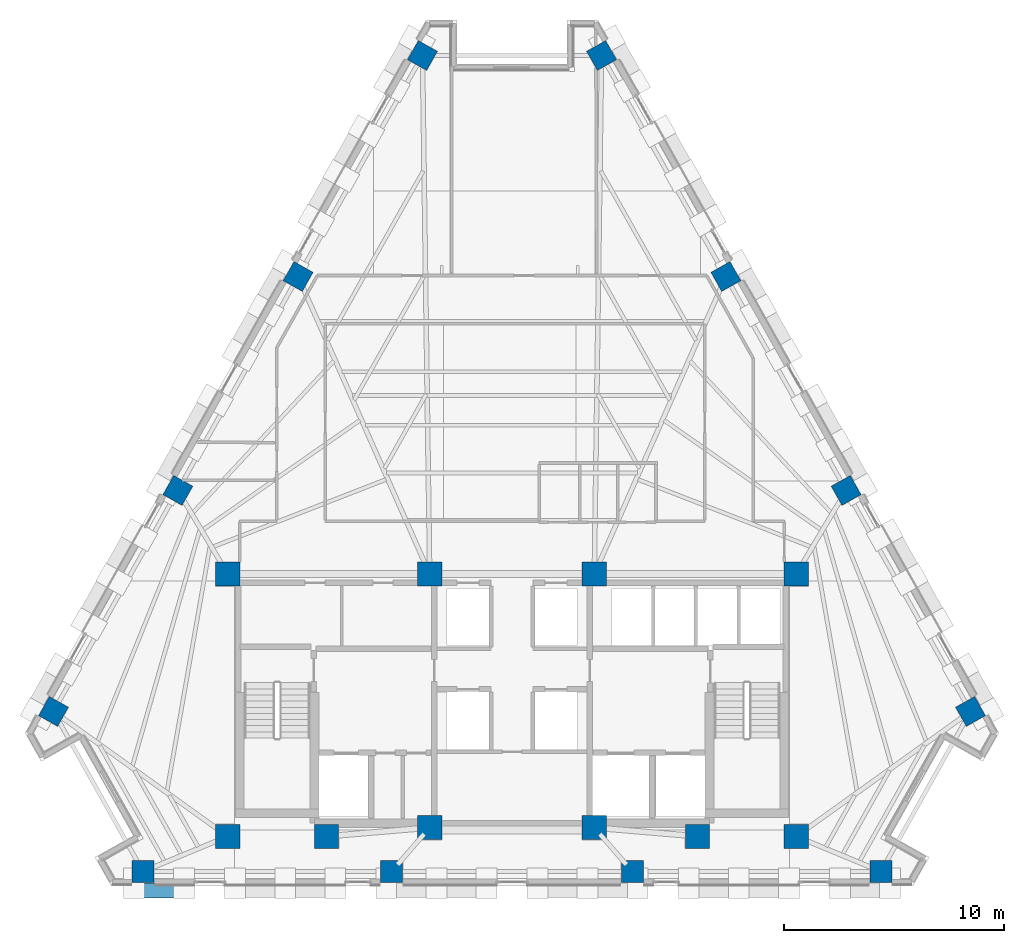
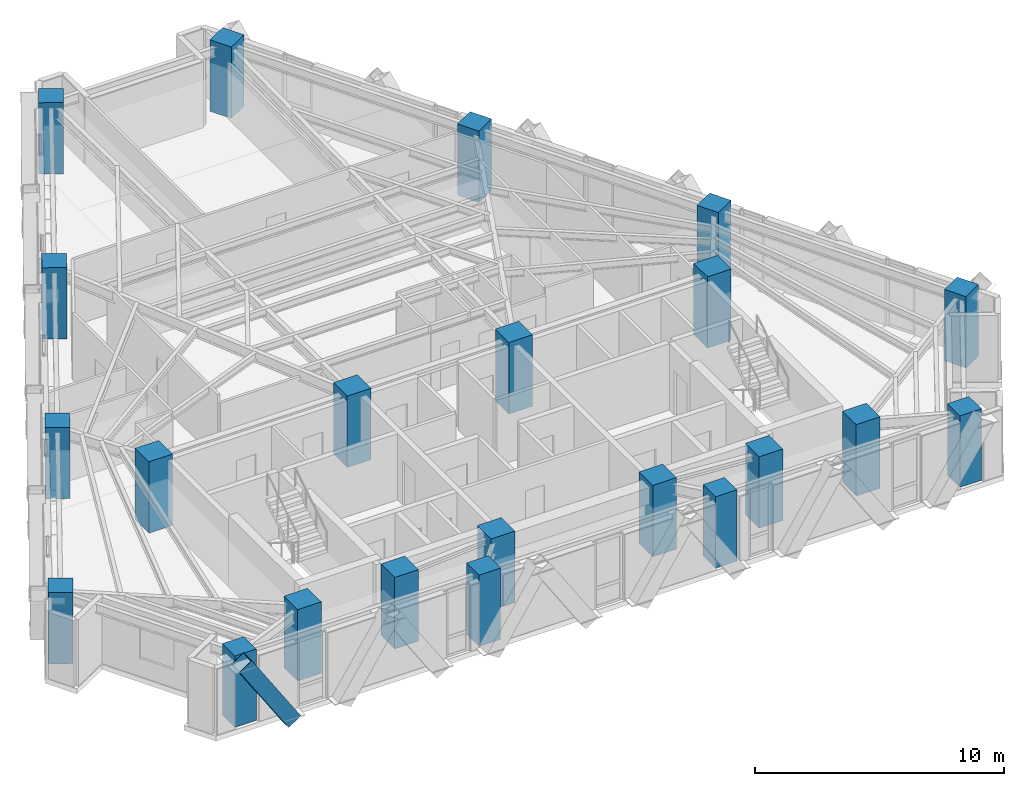
# One storey, part 1 of 13: 22 columns, 1 member.
"""IFC4 building model written with IfcOpenShell, lengths in metres."""

import ifcopenshell
import ifcopenshell.guid

model = None  # the IFC model being written
_history = None  # IfcOwnerHistory: only IFC2X3 demands one
_inside = {}  # id of a spatial element -> (the spatial element, [elements in it])
_under = {}  # id of a project, library or spatial element -> (it, [spatial elements below it])
_declared = {}  # id of a project -> (the project, [libraries it declares])
_typed = {}  # id of a type object -> (the type object, [elements of that type])
_made_of = {}  # id of a material, layer set ... -> (it, [elements and type objects made of it])


def new_model(schema):
    """Start an empty IFC model of exactly this schema.

    Asked for "IFC4X3", IfcOpenShell would pick the latest addendum, in which some entities
    have other attributes; the version numbers below select the first issue.
    IFC2X3 requires an IfcOwnerHistory on every rooted entity: one is made here for all.
    """
    global model, _history
    if schema == "IFC4X3":
        model = ifcopenshell.file(schema_version=(4, 3, 0, 0))
    else:
        model = ifcopenshell.file(schema=schema)
    _inside.clear()
    _under.clear()
    _declared.clear()
    _typed.clear()
    _made_of.clear()
    _history = None
    if model.schema == "IFC2X3":
        org = make("IfcOrganization", Name="unknown")
        user = make(
            "IfcPersonAndOrganization",
            ThePerson=make("IfcPerson", FamilyName="unknown"),
            TheOrganization=org,
        )
        app = make(
            "IfcApplication",
            ApplicationDeveloper=org,
            Version="unknown",
            ApplicationFullName="unknown",
            ApplicationIdentifier="unknown",
        )
        _history = make(
            "IfcOwnerHistory",
            OwningUser=user,
            OwningApplication=app,
            ChangeAction="ADDED",
            CreationDate=0,
        )
    return model


def make(cls, **values):
    """One entity of the class cls with the attributes given. An attribute that is None is left unset."""
    return model.create_entity(
        cls, **{name: value for name, value in values.items() if value is not None}
    )


def rooted(cls, **values):
    """An entity with a GlobalId (a new one), such as an element, a storey or a relation."""
    return make(cls, GlobalId=ifcopenshell.guid.new(), OwnerHistory=_history, **values)


def si_unit(unit_type, name, prefix=None):
    """IfcSIUnit, for example si_unit("LENGTHUNIT", "METRE", prefix="MILLI")."""
    return make("IfcSIUnit", UnitType=unit_type, Prefix=prefix, Name=name)


def assignment(units):
    """IfcUnitAssignment: the units of a project."""
    return None if units is None else make("IfcUnitAssignment", Units=units)


def point(xyz):
    """IfcCartesianPoint."""
    return None if xyz is None else make("IfcCartesianPoint", Coordinates=xyz)


def direction(xyz):
    """IfcDirection."""
    return None if xyz is None else make("IfcDirection", DirectionRatios=xyz)


def frame(location, z_axis=None, x_axis=None):
    """IfcAxis2Placement3D, a coordinate frame: its origin and axes. An axis left out is left unset."""
    return make(
        "IfcAxis2Placement3D",
        Location=point(location),
        Axis=direction(z_axis),
        RefDirection=direction(x_axis),
    )


def frame_2d(location, x_axis=None):
    """IfcAxis2Placement2D, a coordinate frame in the plane: its origin and x axis."""
    return make(
        "IfcAxis2Placement2D", Location=point(location), RefDirection=direction(x_axis)
    )


def origin():
    """The frame at (0, 0, 0) with its axes left unset."""
    return frame((0.0, 0.0, 0.0))


def origin_2d():
    """The frame at (0, 0) in the plane with its x axis left unset."""
    return frame_2d((0.0, 0.0))


def place(relative_to, where):
    """IfcLocalPlacement: puts the frame where relative to a parent placement (None: the world)."""
    return make(
        "IfcLocalPlacement", PlacementRelTo=relative_to, RelativePlacement=where
    )


def context(
    kind, dimensions, precision=None, world=None, true_north=None, identifier=None
):
    """IfcGeometricRepresentationContext, for example the 3D "Model" context."""
    return make(
        "IfcGeometricRepresentationContext",
        ContextIdentifier=identifier,
        ContextType=kind,
        CoordinateSpaceDimension=dimensions,
        Precision=precision,
        WorldCoordinateSystem=world,
        TrueNorth=true_north,
    )


def subcontext(parent, identifier, kind, view, scale=None):
    """IfcGeometricRepresentationSubContext, for example "Body" below "Model"."""
    return make(
        "IfcGeometricRepresentationSubContext",
        ContextIdentifier=identifier,
        ContextType=kind,
        ParentContext=parent,
        TargetScale=scale,
        TargetView=view,
    )


def project(units=None, contexts=None):
    """IfcProject with its units and contexts."""
    return rooted(
        "IfcProject",
        Name="project",
        RepresentationContexts=contexts,
        UnitsInContext=assignment(units),
    )


def spatial(cls, under=None, at=None, **own):
    """A site, building, storey or space (cls), placed at a placement, below another one or the project."""
    s = rooted(cls, ObjectPlacement=at, **own)
    if under is not None:
        _under.setdefault(under.id(), (under, []))[1].append(s)
    return s


def profile(cls, at=None, kind="AREA", **sizes):
    """A parametric profile (cls). Its sizes go by their IFC names, for example OverallWidth=200.0."""
    return make(cls, ProfileType=kind, Position=at, **sizes)


def rectangle(**sizes):
    """IfcRectangleProfileDef."""
    return profile("IfcRectangleProfileDef", **sizes)


def hollow_rectangle(**sizes):
    """IfcRectangleHollowProfileDef."""
    return profile("IfcRectangleHollowProfileDef", **sizes)


def extrude(swept, where, along, depth):
    """IfcExtrudedAreaSolid: the profile swept, set in the frame where, extruded along a direction by depth."""
    return make(
        "IfcExtrudedAreaSolid",
        SweptArea=swept,
        Position=where,
        ExtrudedDirection=direction(along),
        Depth=depth,
    )


def shape(context_of_items, identifier, shape_type, items):
    """IfcShapeRepresentation: the items that make up one representation, for example the "Body"."""
    return make(
        "IfcShapeRepresentation",
        ContextOfItems=context_of_items,
        RepresentationIdentifier=identifier,
        RepresentationType=shape_type,
        Items=items,
    )


def material(Name=None, Category=None):
    """IfcMaterial."""
    return make("IfcMaterial", Name=Name, Category=Category)


def material_profile(
    of_material, cross_section, Name=None, Category=None, Priority=None
):
    """IfcMaterialProfile: a cross section and its material."""
    return make(
        "IfcMaterialProfile",
        Name=Name,
        Material=of_material,
        Profile=cross_section,
        Priority=Priority,
        Category=Category,
    )


def profile_set(profiles, Name=None, composite=None):
    """IfcMaterialProfileSet."""
    return make(
        "IfcMaterialProfileSet",
        Name=Name,
        MaterialProfiles=profiles,
        CompositeProfile=composite,
    )


def made_of(thing, what):
    """Note that an element or type object is made of a material, layer set ...; save() writes the relation."""
    if what is not None:
        _made_of.setdefault(what.id(), (what, []))[1].append(thing)
    return thing


def type_object(cls, material=None, **own):
    """A type object (cls), such as IfcWallType, which elements share."""
    return made_of(rooted(cls, **own), material)


def element(
    cls,
    number,
    at=None,
    inside=None,
    cuts=None,
    type_object=None,
    material=None,
    context=None,
    identifier="Body",
    shape_type=None,
    held_by="IfcProductDefinitionShape",
    body=None,
    shapes=None,
    **own,
):
    """One element of the class cls, such as IfcWall. Its Tag is "e" and its number.

    at: its placement. inside: the storey or other place that contains it. cuts: it is an
    opening in that element (IfcRelVoidsElement). A single representation is given by context,
    identifier, shape_type and body (its items); several are given by shapes. held_by: the class
    of the entity that holds the representations. save() writes the other relations.
    """
    e = rooted(cls, Tag="e%d" % number, ObjectPlacement=at, **own)
    if body is not None:
        shapes = [shape(context, identifier, shape_type, body)]
    if shapes is not None:
        e.Representation = make(held_by, Representations=shapes)
    if inside is not None:
        _inside.setdefault(inside.id(), (inside, []))[1].append(e)
    if cuts is not None:
        rooted(
            "IfcRelVoidsElement", RelatingBuildingElement=cuts, RelatedOpeningElement=e
        )
    if type_object is not None:
        _typed.setdefault(type_object.id(), (type_object, []))[1].append(e)
    return made_of(e, material)


def aggregate(whole, parts):
    """IfcRelAggregates: a whole, such as a stair, and the parts it consists of."""
    return rooted("IfcRelAggregates", RelatingObject=whole, RelatedObjects=parts)


def save(model, path):
    """Write the relations noted so far, then the file.

    IfcRelAggregates (storeys below a building ...), IfcRelContainedInSpatialStructure (elements
    in a storey), IfcRelDefinesByType, IfcRelAssociatesMaterial and IfcRelDeclares: one each for
    every whole, place, type object, material and project.
    """
    for whole, parts in _under.values():
        aggregate(whole, parts)
    for where, things in _inside.values():
        rooted(
            "IfcRelContainedInSpatialStructure",
            RelatedElements=things,
            RelatingStructure=where,
        )
    for kind, things in _typed.values():
        rooted("IfcRelDefinesByType", RelatedObjects=things, RelatingType=kind)
    for what, things in _made_of.values():
        rooted("IfcRelAssociatesMaterial", RelatedObjects=things, RelatingMaterial=what)
    for by, libraries in _declared.values():
        rooted("IfcRelDeclares", RelatingContext=by, RelatedDefinitions=libraries)
    model.write(path)


model = new_model("IFC4")

# Units and contexts
model_context = context("Model", 3, precision=1e-05, world=origin(), true_north=direction((0.0, 1.0)))
body_context = subcontext(model_context, "Body", "Model", "MODEL_VIEW")
ifc_project = project(units=[si_unit("LENGTHUNIT", "METRE"), si_unit("AREAUNIT", "SQUARE_METRE"), si_unit("VOLUMEUNIT", "CUBIC_METRE"), si_unit("PLANEANGLEUNIT", "RADIAN"), si_unit("MASSUNIT", "GRAM", prefix="KILO")], contexts=[model_context])

# Site, building, storey
site_placement = place(None, origin())
site = spatial("IfcSite", under=ifc_project, at=site_placement, CompositionType="ELEMENT")
building_placement = place(site_placement, origin())
building = spatial("IfcBuilding", under=site, at=building_placement, Name="Quenlor Broadcast Tower", CompositionType="ELEMENT")
storey_placement = place(building_placement, frame((0.0, 0.0, 158.0)))
storey = spatial("IfcBuildingStorey", under=building, at=storey_placement, Name="L43", CompositionType="ELEMENT", Elevation=158.0)

# Columns
ifc_material_1 = material(Name="Concrete C65/80", Category="concrete")
ifc_material_profile_1 = material_profile(ifc_material_1, rectangle(XDim=1.10009765625, YDim=1.10009765625, at=origin_2d()))
ifc_profile_set_1 = profile_set([ifc_material_profile_1], Name="Concrete C65/80 RC1100x1100")
column_type_1 = type_object("IfcColumnType", Name="Core Corner Column Mid Concrete C65/80 1100", PredefinedType="COLUMN", material=ifc_profile_set_1)
for number, where, z_axis, x_axis, name in (
    (1, (-12.949951171875, -16.75, 0.0), (0.0, 0.0, 1.0), (1.0, 0.0, 0.0), "L43 Core Column CC1"),
    (2, (-8.449951171875, -16.75, 0.0), (0.0, 0.0, 1.0), (1.0, 0.0, 0.0), "L43 Core Column CC2"),
    (3, (-3.75, -16.35009765625, 0.0), (0.0, 0.0, 1.0), (1.0, 0.0, 0.0), "L43 Core Column CC3"),
    (4, (3.75, -16.35009765625, 0.0), (0.0, 0.0, 1.0), (1.0, 0.0, 0.0), "L43 Core Column CC4"),
    (5, (8.449951171875, -16.75, 0.0), (0.0, 0.0, 1.0), (1.0, 0.0, 0.0), "L43 Core Column CC5"),
    (6, (12.949951171875, -16.75, 0.0), (0.0, 0.0, 1.0), (1.0, 0.0, 0.0), "L43 Core Column CC6"),
    (7, (-12.949951171875, -4.800048828125, 0.0), (0.0, 0.0, 1.0), (1.0, 0.0, 0.0), "L43 Core Column CC7"),
    (8, (-3.75, -4.800048828125, 0.0), (0.0, 0.0, 1.0), (1.0, 0.0, 0.0), "L43 Core Column CC8"),
    (9, (3.75, -4.800048828125, 0.0), (0.0, 0.0, 1.0), (1.0, 0.0, 0.0), "L43 Core Column CC9"),
    (10, (12.949951171875, -4.800048828125, 0.0), (0.0, 0.0, 1.0), (1.0, 0.0, 0.0), "L43 Core Column CC10"),
):
    element("IfcColumn", number, at=place(storey_placement, frame(where, z_axis=z_axis, x_axis=x_axis)), inside=storey, type_object=column_type_1, Name=name, PredefinedType="COLUMN", context=body_context, shape_type="SweptSolid", body=[
        extrude(rectangle(XDim=1.10009765625, YDim=1.10009765625, at=origin_2d()), origin(), (0.0, 0.0, 1.0), 3.5),
    ])
ifc_material_2 = material(Name="Concrete C50/60", Category="concrete")
ifc_material_profile_2 = material_profile(ifc_material_2, rectangle(XDim=1.0, YDim=1.0, at=origin_2d()))
ifc_profile_set_2 = profile_set([ifc_material_profile_2], Name="Concrete C50/60 RC1000x1000")
column_type_2 = type_object("IfcColumnType", Name="Tower Perimeter Column Z3 Concrete C50/60 1000", PredefinedType="COLUMN", material=ifc_profile_set_2)
for number, where, z_axis, x_axis, name in (
    (11, (-16.808349609375, -18.35009765625, 0.0), (0.0, 0.0, 1.0), (0.0, 1.0, 0.0), "L43 Perimeter Column S1"),
    (12, (-5.48095703125, -18.35009765625, 0.0), (0.0, 0.0, 1.0), (0.0, 1.0, 0.0), "L43 Perimeter Column S2"),
    (13, (5.48095703125, -18.35009765625, 0.0), (0.0, 0.0, 1.0), (0.0, 1.0, 0.0), "L43 Perimeter Column S3"),
    (14, (16.808349609375, -18.35009765625, 0.0), (0.0, 0.0, 1.0), (0.0, 1.0, 0.0), "L43 Perimeter Column S4"),
    (15, (20.8876953125, -11.0595703125, 0.0), (0.0, 0.0, 1.0), (0.871575139605, 0.490261946333, 0.0), "L43 Perimeter Column NE1"),
    (16, (15.22412109375, -0.99072265625, 0.0), (0.0, 0.0, 1.0), (0.871575139605, 0.490261946333, 0.0), "L43 Perimeter Column NE2"),
    (17, (9.742919921875, 8.75341796875, 0.0), (0.0, 0.0, 1.0), (0.871575139605, 0.490261946333, 0.0), "L43 Perimeter Column NE3"),
    (18, (4.079345703125, 18.822021484375, 0.0), (0.0, 0.0, 1.0), (0.871575139605, 0.490261946333, 0.0), "L43 Perimeter Column NE4"),
    (19, (-4.079345703125, 18.822021484375, 0.0), (0.0, 0.0, 1.0), (-0.871575139605, 0.490261946333, 0.0), "L43 Perimeter Column NW1"),
    (20, (-9.742919921875, 8.75341796875, 0.0), (0.0, 0.0, 1.0), (-0.871575139605, 0.490261946333, 0.0), "L43 Perimeter Column NW2"),
    (21, (-15.22412109375, -0.99072265625, 0.0), (0.0, 0.0, 1.0), (-0.871575139605, 0.490261946333, 0.0), "L43 Perimeter Column NW3"),
    (22, (-20.8876953125, -11.0595703125, 0.0), (0.0, 0.0, 1.0), (-0.871575139605, 0.490261946333, 0.0), "L43 Perimeter Column NW4"),
):
    element("IfcColumn", number, at=place(storey_placement, frame(where, z_axis=z_axis, x_axis=x_axis)), inside=storey, type_object=column_type_2, Name=name, PredefinedType="COLUMN", context=body_context, shape_type="SweptSolid", body=[
        extrude(rectangle(XDim=1.0, YDim=1.0, at=origin_2d()), origin(), (0.0, 0.0, 1.0), 3.5),
    ])

# Member
ifc_material_3 = material(Name="Steel S355", Category="steel")
ifc_material_profile_3 = material_profile(ifc_material_3, hollow_rectangle(XDim=0.679931640625, YDim=0.679931640625, WallThickness=0.02490234375, at=origin_2d()))
ifc_profile_set_3 = profile_set([ifc_material_profile_3], Name="Steel S355 RHS680x680x25")
member_type = type_object("IfcMemberType", Name="Perimeter Diagonal Lattice Brace Z3-Z4 Steel S355 RHS680x25", PredefinedType="BRACE", material=ifc_profile_set_3)
member_placement = place(storey_placement, frame((-14.937744140625, -19.219970703125, -0.1201171875), z_axis=(-0.543901560697, 0.0, 0.839149028643), x_axis=(0.0, -1.0, 0.0)))
element("IfcMember", 23, at=member_placement, inside=storey, type_object=member_type, Name="L43 Perimeter Diamond Lattice S-C5S", PredefinedType="BRACE", context=body_context, shape_type="SweptSolid", body=[
    extrude(hollow_rectangle(XDim=0.679931640625, YDim=0.679931640625, WallThickness=0.02490234375, at=origin_2d()), origin(), (0.0, 0.0, 1.0), 4.1708984375),
])

save(model, "model.ifc")
